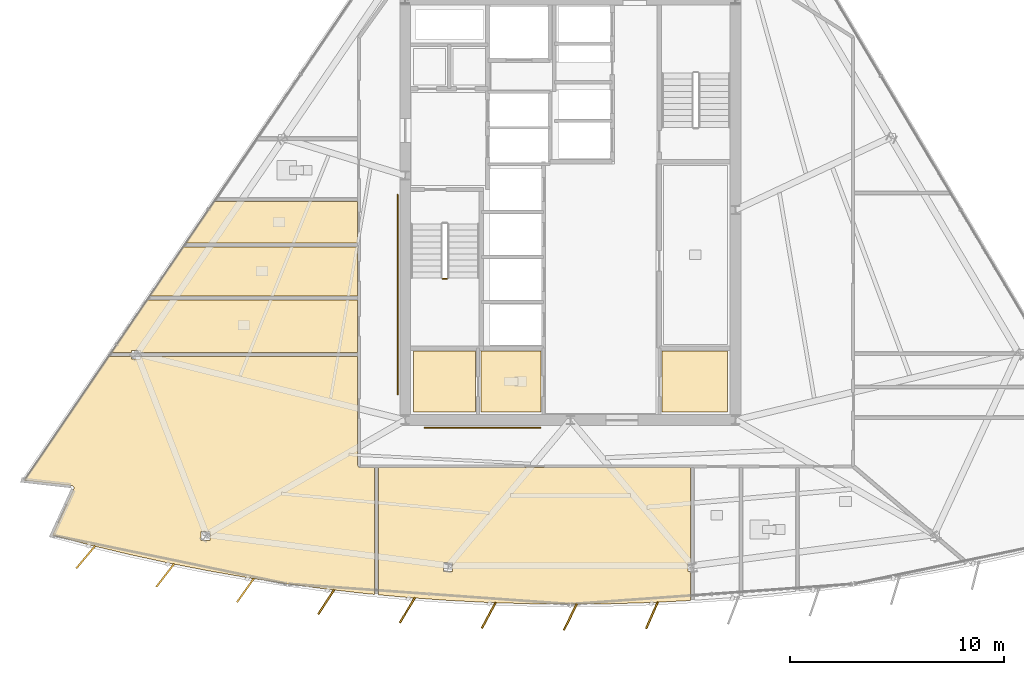
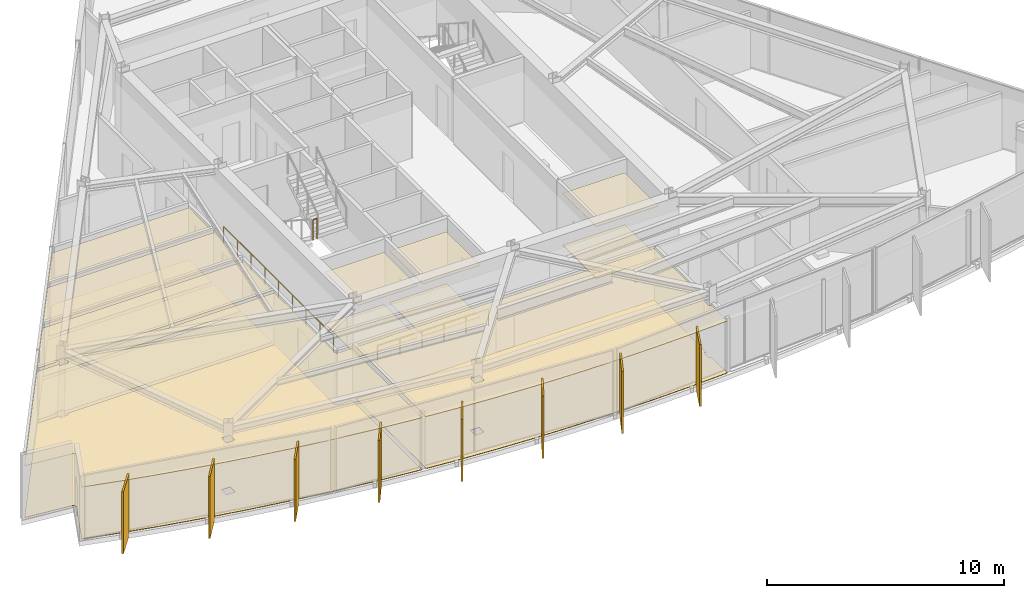
# One storey, part 11 of 15: 16 coverings, 8 shading devices, 3 railings.
"""IFC4 building model written with IfcOpenShell, lengths in metres."""

from ifc_helpers import new_model, si_unit, direction, frame, origin, origin_2d, place, context, subcontext, project, spatial, polyline, rectangle, circle, outline, extrude, material, layer, layer_set, type_object, element, save


model = new_model("IFC4")

# Units and contexts
model_context = context("Model", 3, precision=1e-05, world=origin(), true_north=direction((0.0, 1.0)))
body_context = subcontext(model_context, "Body", "Model", "MODEL_VIEW")
ifc_project = project(units=[si_unit("LENGTHUNIT", "METRE"), si_unit("AREAUNIT", "SQUARE_METRE"), si_unit("VOLUMEUNIT", "CUBIC_METRE"), si_unit("PLANEANGLEUNIT", "RADIAN"), si_unit("MASSUNIT", "GRAM", prefix="KILO")], contexts=[model_context])

# Site, building, storey
site_placement = place(None, origin())
site = spatial("IfcSite", under=ifc_project, at=site_placement, CompositionType="ELEMENT")
building_placement = place(site_placement, origin())
building = spatial("IfcBuilding", under=site, at=building_placement, Name="Savorim Split Tower", CompositionType="ELEMENT")
storey_placement = place(building_placement, frame((0.0, 0.0, 194.699951171875)))
storey = spatial("IfcBuildingStorey", under=building, at=storey_placement, Name="L51", CompositionType="ELEMENT", Elevation=194.699951171875)

# Coverings
ifc_material_1 = material(Name="Mineral Fibre Acoustic Ceiling")
ifc_layer_1 = layer(ifc_material_1, 0.02490234375)
ifc_layer_set_1 = layer_set([ifc_layer_1], Name="COV-CEIL-25")
covering_type_1 = type_object("IfcCoveringType", Name="COV-CEIL-25", PredefinedType="CEILING", material=ifc_layer_set_1)
covering_1_placement = place(storey_placement, frame((0.0, 0.0, 2.670166015625)))
element("IfcCovering", 1, at=covering_1_placement, inside=storey, type_object=covering_type_1, Name="L51 Housekeeping Store Acoustic Ceiling", PredefinedType="CEILING", context=body_context, shape_type="SweptSolid", body=[
    extrude(outline(polyline([(-7.320068359375, -6.179931640625), (-7.320068359375, -9.02001953125), (-4.429931640625, -9.02001953125), (-4.429931640625, -6.179931640625), (-7.320068359375, -6.179931640625)])), origin(), (0.0, 0.0, 1.0), 0.02490234375),
])
covering_2_placement = place(storey_placement, frame((0.0, 0.0, 2.670166015625)))
element("IfcCovering", 2, at=covering_2_placement, inside=storey, type_object=covering_type_1, Name="L51 Accessible WC Acoustic Ceiling", PredefinedType="CEILING", context=body_context, shape_type="SweptSolid", body=[
    extrude(outline(polyline([(-4.169921875, -6.179931640625), (-4.169921875, -9.02001953125), (-1.3798828125, -9.02001953125), (-1.3798828125, -6.179931640625), (-4.169921875, -6.179931640625)])), origin(), (0.0, 0.0, 1.0), 0.02490234375),
])
covering_3_placement = place(storey_placement, frame((0.0, 0.0, 2.670166015625)))
element("IfcCovering", 3, at=covering_3_placement, inside=storey, type_object=covering_type_1, Name="L51 Core IT Server Room Acoustic Ceiling", PredefinedType="CEILING", context=body_context, shape_type="SweptSolid", body=[
    extrude(outline(polyline([(4.280029296875, -6.179931640625), (4.280029296875, -9.02001953125), (7.320068359375, -9.02001953125), (7.320068359375, -6.179931640625), (4.280029296875, -6.179931640625)])), origin(), (0.0, 0.0, 1.0), 0.02490234375),
])
covering_4_placement = place(storey_placement, frame((0.0, 0.0, 2.670166015625)))
element("IfcCovering", 4, at=covering_4_placement, inside=storey, type_object=covering_type_1, Name="L51 Shared Kitchen Acoustic Ceiling", PredefinedType="CEILING", context=body_context, shape_type="SweptSolid", body=[
    extrude(outline(polyline([(-16.604248046875, 0.794921875), (-17.9169921875, -1.135009765625), (-9.919921875, -1.135009765625), (-9.919921875, 0.794921875), (-16.604248046875, 0.794921875)])), origin(), (0.0, 0.0, 1.0), 0.02490234375),
])
covering_5_placement = place(storey_placement, frame((0.0, 0.0, 2.670166015625)))
element("IfcCovering", 5, at=covering_5_placement, inside=storey, type_object=covering_type_1, Name="L51 Community Laundry Room Acoustic Ceiling", PredefinedType="CEILING", context=body_context, shape_type="SweptSolid", body=[
    extrude(outline(polyline([(-18.04638671875, -1.324951171875), (-19.599609375, -3.608154296875), (-9.919921875, -3.6083984375), (-9.919921875, -1.324951171875), (-18.04638671875, -1.324951171875)])), origin(), (0.0, 0.0, 1.0), 0.02490234375),
])
covering_6_placement = place(storey_placement, frame((0.0, 0.0, 2.670166015625)))
element("IfcCovering", 6, at=covering_6_placement, inside=storey, type_object=covering_type_1, Name="L51 Shared Kitchen Acoustic Ceiling", PredefinedType="CEILING", context=body_context, shape_type="SweptSolid", body=[
    extrude(outline(polyline([(-20.0400390625, -6.1484375), (-20.0400390625, -6.257080078125), (-9.919921875, -6.257080078125), (-9.919921875, -3.79833984375), (-19.728759765625, -3.798095703125), (-21.401611328125, -6.257080078125), (-20.4580078125, -6.257080078125), (-20.4580078125, -6.1484375), (-20.0400390625, -6.1484375)])), origin(), (0.0, 0.0, 1.0), 0.02490234375),
])
covering_7_placement = place(storey_placement, frame((0.0, 0.0, 2.670166015625)))
element("IfcCovering", 7, at=covering_7_placement, inside=storey, type_object=covering_type_1, Name="L51 Maker Workshop Acoustic Ceiling", PredefinedType="CEILING", context=body_context, shape_type="SweptSolid", body=[
    extrude(outline(polyline([(-23.142822265625, -12.572998046875), (-23.143798828125, -12.5849609375), (-23.14599609375, -12.5966796875), (-23.149169921875, -12.608154296875), (-23.15380859375, -12.619384765625), (-24.1416015625, -14.769775390625), (-22.450439453125, -15.2119140625), (-20.61279296875, -15.652587890625), (-18.7666015625, -16.055419921875), (-16.912353515625, -16.420654296875), (-15.051025390625, -16.74755859375), (-13.18359375, -17.03662109375), (-11.310302734375, -17.287109375), (-9.4326171875, -17.49951171875), (-9.132080078125, -17.527099609375), (-9.132080078125, -11.6201171875), (-9.780029296875, -11.6201171875), (-9.793701171875, -11.619384765625), (-9.807373046875, -11.6171875), (-9.820556640625, -11.614013671875), (-9.83349609375, -11.609375), (-9.845947265625, -11.603515625), (-9.85791015625, -11.596435546875), (-9.868896484375, -11.588134765625), (-9.87890625, -11.5791015625), (-9.88818359375, -11.56884765625), (-9.896484375, -11.557861328125), (-9.903564453125, -11.5458984375), (-9.9091796875, -11.53369140625), (-9.9140625, -11.5205078125), (-9.917236328125, -11.50732421875), (-9.919189453125, -11.49365234375), (-9.919921875, -11.47998046875), (-9.919921875, -6.447021484375), (-20.0400390625, -6.447021484375), (-20.0400390625, -6.555419921875), (-20.4580078125, -6.555419921875), (-20.4580078125, -6.447021484375), (-21.40576171875, -6.447021484375), (-21.500732421875, -6.447021484375), (-21.500732421875, -6.40283203125), (-25.447509765625, -12.20458984375), (-23.24951171875, -12.449951171875), (-23.237548828125, -12.451904296875), (-23.22607421875, -12.454833984375), (-23.21484375, -12.458984375), (-23.2041015625, -12.46435546875), (-23.194091796875, -12.470703125), (-23.184814453125, -12.47802734375), (-23.176025390625, -12.486328125), (-23.168212890625, -12.495361328125), (-23.161376953125, -12.5048828125), (-23.155517578125, -12.515380859375), (-23.150634765625, -12.5263671875), (-23.14697265625, -12.53759765625), (-23.144287109375, -12.54931640625), (-23.14306640625, -12.561279296875), (-23.142822265625, -12.572998046875)]), holes=[polyline([(-17.21435546875, -15.003662109375), (-16.79638671875, -15.003662109375), (-16.79638671875, -14.5966796875), (-17.21435546875, -14.5966796875), (-17.21435546875, -15.003662109375)])]), origin(), (0.0, 0.0, 1.0), 0.02490234375),
])
covering_8_placement = place(storey_placement, frame((0.0, 0.0, 2.670166015625)))
element("IfcCovering", 8, at=covering_8_placement, inside=storey, type_object=covering_type_1, Name="L51 Co-Working Commons Acoustic Ceiling", PredefinedType="CEILING", context=body_context, shape_type="SweptSolid", body=[
    extrude(outline(polyline([(5.490234375, -16.04833984375), (5.604248046875, -16.04833984375), (5.604248046875, -11.6201171875), (-8.942138671875, -11.6201171875), (-8.942138671875, -17.544677734375), (-7.55078125, -17.673095703125), (-5.665771484375, -17.808349609375), (-3.778564453125, -17.905029296875), (-1.8896484375, -17.962890625), (0.0, -17.982421875), (1.8896484375, -17.962890625), (3.778564453125, -17.905029296875), (5.604248046875, -17.8115234375), (5.604248046875, -16.455322265625), (5.490234375, -16.455322265625), (5.490234375, -16.04833984375)]), holes=[polyline([(-5.908203125, -16.455322265625), (-5.490234375, -16.455322265625), (-5.490234375, -16.04833984375), (-5.908203125, -16.04833984375), (-5.908203125, -16.455322265625)])]), origin(), (0.0, 0.0, 1.0), 0.02490234375),
])
ifc_material_2 = material(Name="Porcelain Stoneware Flooring", Category="masonry")
ifc_layer_2 = layer(ifc_material_2, 0.02001953125)
ifc_layer_set_2 = layer_set([ifc_layer_2], Name="COV-FLOR-20")
covering_type_2 = type_object("IfcCoveringType", Name="COV-FLOR-20", PredefinedType="FLOORING", material=ifc_layer_set_2)
covering_9_placement = place(storey_placement, origin())
element("IfcCovering", 9, at=covering_9_placement, inside=storey, type_object=covering_type_2, Name="L51 Housekeeping Store Porcelain Flooring", PredefinedType="FLOORING", context=body_context, shape_type="SweptSolid", body=[
    extrude(outline(polyline([(-7.320068359375, -6.179931640625), (-7.320068359375, -9.02001953125), (-4.429931640625, -9.02001953125), (-4.429931640625, -6.179931640625), (-7.320068359375, -6.179931640625)])), origin(), (0.0, 0.0, 1.0), 0.02001953125),
])
covering_10_placement = place(storey_placement, origin())
element("IfcCovering", 10, at=covering_10_placement, inside=storey, type_object=covering_type_2, Name="L51 Accessible WC Porcelain Flooring", PredefinedType="FLOORING", context=body_context, shape_type="SweptSolid", body=[
    extrude(outline(polyline([(-4.169921875, -6.179931640625), (-4.169921875, -9.02001953125), (-1.3798828125, -9.02001953125), (-1.3798828125, -6.179931640625), (-4.169921875, -6.179931640625)])), origin(), (0.0, 0.0, 1.0), 0.02001953125),
])
covering_11_placement = place(storey_placement, origin())
element("IfcCovering", 11, at=covering_11_placement, inside=storey, type_object=covering_type_2, Name="L51 Core IT Server Room Porcelain Flooring", PredefinedType="FLOORING", context=body_context, shape_type="SweptSolid", body=[
    extrude(outline(polyline([(4.280029296875, -6.179931640625), (4.280029296875, -9.02001953125), (7.320068359375, -9.02001953125), (7.320068359375, -6.179931640625), (4.280029296875, -6.179931640625)])), origin(), (0.0, 0.0, 1.0), 0.02001953125),
])
covering_12_placement = place(storey_placement, origin())
element("IfcCovering", 12, at=covering_12_placement, inside=storey, type_object=covering_type_2, Name="L51 Shared Kitchen Porcelain Flooring", PredefinedType="FLOORING", context=body_context, shape_type="SweptSolid", body=[
    extrude(outline(polyline([(-16.604248046875, 0.794921875), (-17.9169921875, -1.135009765625), (-9.919921875, -1.135009765625), (-9.919921875, 0.794921875), (-16.604248046875, 0.794921875)])), origin(), (0.0, 0.0, 1.0), 0.02001953125),
])
covering_13_placement = place(storey_placement, origin())
element("IfcCovering", 13, at=covering_13_placement, inside=storey, type_object=covering_type_2, Name="L51 Community Laundry Room Porcelain Flooring", PredefinedType="FLOORING", context=body_context, shape_type="SweptSolid", body=[
    extrude(outline(polyline([(-18.04638671875, -1.324951171875), (-19.599609375, -3.608154296875), (-9.919921875, -3.6083984375), (-9.919921875, -1.324951171875), (-18.04638671875, -1.324951171875)])), origin(), (0.0, 0.0, 1.0), 0.02001953125),
])
covering_14_placement = place(storey_placement, origin())
element("IfcCovering", 14, at=covering_14_placement, inside=storey, type_object=covering_type_2, Name="L51 Shared Kitchen Porcelain Flooring", PredefinedType="FLOORING", context=body_context, shape_type="SweptSolid", body=[
    extrude(outline(polyline([(-20.0400390625, -6.1484375), (-20.0400390625, -6.257080078125), (-9.919921875, -6.257080078125), (-9.919921875, -3.79833984375), (-19.728759765625, -3.798095703125), (-21.401611328125, -6.257080078125), (-20.4580078125, -6.257080078125), (-20.4580078125, -6.1484375), (-20.0400390625, -6.1484375)])), origin(), (0.0, 0.0, 1.0), 0.02001953125),
])
covering_15_placement = place(storey_placement, origin())
element("IfcCovering", 15, at=covering_15_placement, inside=storey, type_object=covering_type_2, Name="L51 Maker Workshop Porcelain Flooring", PredefinedType="FLOORING", context=body_context, shape_type="SweptSolid", body=[
    extrude(outline(polyline([(-23.142822265625, -12.572998046875), (-23.143798828125, -12.5849609375), (-23.14599609375, -12.5966796875), (-23.149169921875, -12.608154296875), (-23.15380859375, -12.619384765625), (-24.1416015625, -14.769775390625), (-22.450439453125, -15.2119140625), (-20.61279296875, -15.652587890625), (-18.7666015625, -16.055419921875), (-16.912353515625, -16.420654296875), (-15.051025390625, -16.74755859375), (-13.18359375, -17.03662109375), (-11.310302734375, -17.287109375), (-9.4326171875, -17.49951171875), (-9.132080078125, -17.527099609375), (-9.132080078125, -11.6201171875), (-9.780029296875, -11.6201171875), (-9.793701171875, -11.619384765625), (-9.807373046875, -11.6171875), (-9.820556640625, -11.614013671875), (-9.83349609375, -11.609375), (-9.845947265625, -11.603515625), (-9.85791015625, -11.596435546875), (-9.868896484375, -11.588134765625), (-9.87890625, -11.5791015625), (-9.88818359375, -11.56884765625), (-9.896484375, -11.557861328125), (-9.903564453125, -11.5458984375), (-9.9091796875, -11.53369140625), (-9.9140625, -11.5205078125), (-9.917236328125, -11.50732421875), (-9.919189453125, -11.49365234375), (-9.919921875, -11.47998046875), (-9.919921875, -6.447021484375), (-20.0400390625, -6.447021484375), (-20.0400390625, -6.555419921875), (-20.4580078125, -6.555419921875), (-20.4580078125, -6.447021484375), (-21.40576171875, -6.447021484375), (-21.500732421875, -6.447021484375), (-21.500732421875, -6.40283203125), (-25.447509765625, -12.20458984375), (-23.24951171875, -12.449951171875), (-23.237548828125, -12.451904296875), (-23.22607421875, -12.454833984375), (-23.21484375, -12.458984375), (-23.2041015625, -12.46435546875), (-23.194091796875, -12.470703125), (-23.184814453125, -12.47802734375), (-23.176025390625, -12.486328125), (-23.168212890625, -12.495361328125), (-23.161376953125, -12.5048828125), (-23.155517578125, -12.515380859375), (-23.150634765625, -12.5263671875), (-23.14697265625, -12.53759765625), (-23.144287109375, -12.54931640625), (-23.14306640625, -12.561279296875), (-23.142822265625, -12.572998046875)]), holes=[polyline([(-17.21435546875, -15.003662109375), (-16.79638671875, -15.003662109375), (-16.79638671875, -14.5966796875), (-17.21435546875, -14.5966796875), (-17.21435546875, -15.003662109375)])]), origin(), (0.0, 0.0, 1.0), 0.02001953125),
])
covering_16_placement = place(storey_placement, origin())
element("IfcCovering", 16, at=covering_16_placement, inside=storey, type_object=covering_type_2, Name="L51 Co-Working Commons Porcelain Flooring", PredefinedType="FLOORING", context=body_context, shape_type="SweptSolid", body=[
    extrude(outline(polyline([(5.490234375, -16.04833984375), (5.604248046875, -16.04833984375), (5.604248046875, -11.6201171875), (-8.942138671875, -11.6201171875), (-8.942138671875, -17.544677734375), (-7.55078125, -17.673095703125), (-5.665771484375, -17.808349609375), (-3.778564453125, -17.905029296875), (-1.8896484375, -17.962890625), (0.0, -17.982421875), (1.8896484375, -17.962890625), (3.778564453125, -17.905029296875), (5.604248046875, -17.8115234375), (5.604248046875, -16.455322265625), (5.490234375, -16.455322265625), (5.490234375, -16.04833984375)]), holes=[polyline([(-5.908203125, -16.455322265625), (-5.490234375, -16.455322265625), (-5.490234375, -16.04833984375), (-5.908203125, -16.04833984375), (-5.908203125, -16.455322265625)])]), origin(), (0.0, 0.0, 1.0), 0.02001953125),
])

# Railings
ifc_material_3 = material(Name="Galvanised Painted Steel Balustrade", Category="steel")
railing_type_1 = type_object("IfcRailingType", Name="RLG-HR-900", PredefinedType="HANDRAIL", material=ifc_material_3)
railing_1_placement = place(storey_placement, frame((-6.800048828125, -9.75, 0.0)))
element("IfcRailing", 17, at=railing_1_placement, inside=storey, type_object=railing_type_1, Name="L51 Corridor South Accessible Handrail", PredefinedType="HANDRAIL", context=body_context, shape_type="SweptSolid", body=[
    extrude(circle(Radius=0.02392578125, at=origin_2d()), frame((0.0, 0.0, 0.8759765625), z_axis=(1.0, 0.0, 0.0), x_axis=(0.0, 1.0, 0.0)), (0.0, 0.0, 1.0), 5.400146484375),
    extrude(circle(Radius=0.02099609375, at=origin_2d()), origin(), (0.0, 0.0, 1.0), 0.851806640625),
    extrude(circle(Radius=0.02099609375, at=origin_2d()), frame((1.080078125, 0.0, 0.0)), (0.0, 0.0, 1.0), 0.851806640625),
    extrude(circle(Radius=0.02099609375, at=origin_2d()), frame((2.16015625, 0.0, 0.0)), (0.0, 0.0, 1.0), 0.851806640625),
    extrude(circle(Radius=0.02099609375, at=origin_2d()), frame((3.239990234375, 0.0, 0.0)), (0.0, 0.0, 1.0), 0.851806640625),
    extrude(circle(Radius=0.02099609375, at=origin_2d()), frame((4.320068359375, 0.0, 0.0)), (0.0, 0.0, 1.0), 0.851806640625),
    extrude(circle(Radius=0.02099609375, at=origin_2d()), frame((5.400146484375, 0.0, 0.0)), (0.0, 0.0, 1.0), 0.851806640625),
])
railing_2_placement = place(storey_placement, frame((-8.050048828125, -8.199951171875, 0.0)))
element("IfcRailing", 18, at=railing_2_placement, inside=storey, type_object=railing_type_1, Name="L51 Corridor West Accessible Handrail", PredefinedType="HANDRAIL", context=body_context, shape_type="SweptSolid", body=[
    extrude(circle(Radius=0.02392578125, at=origin_2d()), frame((0.0, 0.0, 0.8759765625), z_axis=(0.0, 1.0, 0.0), x_axis=(-1.0, 0.0, 0.0)), (0.0, 0.0, 1.0), 9.300048828125),
    extrude(circle(Radius=0.02099609375, at=origin_2d()), origin(), (0.0, 0.0, 1.0), 0.851806640625),
    extrude(circle(Radius=0.02099609375, at=origin_2d()), frame((0.0, 1.16259765625, 0.0)), (0.0, 0.0, 1.0), 0.851806640625),
    extrude(circle(Radius=0.02099609375, at=origin_2d()), frame((0.0, 2.324951171875, 0.0)), (0.0, 0.0, 1.0), 0.851806640625),
    extrude(circle(Radius=0.02099609375, at=origin_2d()), frame((0.0, 3.487548828125, 0.0)), (0.0, 0.0, 1.0), 0.851806640625),
    extrude(circle(Radius=0.02099609375, at=origin_2d()), frame((0.0, 4.64990234375, 0.0)), (0.0, 0.0, 1.0), 0.851806640625),
    extrude(circle(Radius=0.02099609375, at=origin_2d()), frame((0.0, 5.8125, 0.0)), (0.0, 0.0, 1.0), 0.851806640625),
    extrude(circle(Radius=0.02099609375, at=origin_2d()), frame((0.0, 6.97509765625, 0.0)), (0.0, 0.0, 1.0), 0.851806640625),
    extrude(circle(Radius=0.02099609375, at=origin_2d()), frame((0.0, 8.137451171875, 0.0)), (0.0, 0.0, 1.0), 0.851806640625),
    extrude(circle(Radius=0.02099609375, at=origin_2d()), frame((0.0, 9.300048828125, 0.0)), (0.0, 0.0, 1.0), 0.851806640625),
])
railing_type_2 = type_object("IfcRailingType", Name="RLG-STG-1100", PredefinedType="BALUSTRADE", material=ifc_material_3)
railing_3_placement = place(storey_placement, frame((-5.949951171875, -2.820068359375, 1.800048828125)))
element("IfcRailing", 19, at=railing_3_placement, inside=storey, type_object=railing_type_2, Name="L51 ST-1 stair guard 2", PredefinedType="BALUSTRADE", context=body_context, shape_type="SweptSolid", body=[
    extrude(circle(Radius=0.02392578125, at=origin_2d()), frame((0.0, 0.0, 1.076171875), z_axis=(1.0, 0.0, 0.0), x_axis=(0.0, 1.0, 0.0)), (0.0, 0.0, 1.0), 0.199951171875),
    extrude(circle(Radius=0.02099609375, at=origin_2d()), origin(), (0.0, 0.0, 1.0), 1.052001953125),
    extrude(circle(Radius=0.02099609375, at=origin_2d()), frame((0.199951171875, 0.0, 0.0)), (0.0, 0.0, 1.0), 1.052001953125),
])

# Shading devices
ifc_material_4 = material(Name="Terracotta Ceramic-Coated Aluminium Fin", Category="masonry")
shading_device_type = type_object("IfcShadingDeviceType", Name="SHD-FIN-1360", PredefinedType="USERDEFINED", material=ifc_material_4)
for number, where, z_axis, x_axis, name in (
    (20, (-22.595458984375, -15.7900390625, -0.19970703125), (0.0, 0.0, 1.0), (-0.643719022682, -0.765261928909, 0.0), "L51 Sawtooth Shading Fin 01"),
    (21, (-18.8876953125, -16.63916015625, -0.19970703125), (0.0, 0.0, 1.0), (-0.611868076908, -0.790959832394, 0.0), "L51 Sawtooth Shading Fin 02"),
    (22, (-15.148193359375, -17.335693359375, -0.19970703125), (0.0, 0.0, 1.0), (-0.578993757737, -0.815331974414, 0.0), "L51 Sawtooth Shading Fin 03"),
    (23, (-11.38330078125, -17.878662109375, -0.19970703125), (0.0, 0.0, 1.0), (-0.545148321708, -0.838339613366, 0.0), "L51 Sawtooth Shading Fin 04"),
    (24, (-7.599609375, -18.26708984375, -0.19970703125), (0.0, 0.0, 1.0), (-0.510391336723, -0.859942255851, 0.0), "L51 Sawtooth Shading Fin 05"),
    (25, (-3.802978515625, -18.50048828125, -0.19970703125), (0.0, 0.0, 1.0), (-0.474778051978, -0.880105562623, 0.0), "L51 Sawtooth Shading Fin 06"),
    (26, (0.0, -18.578369140625, -0.19970703125), (0.0, 0.0, 1.0), (-0.438371146789, -0.898794046299, 0.0), "L51 Sawtooth Shading Fin 07"),
    (27, (3.802978515625, -18.50048828125, -0.19970703125), (0.0, 0.0, 1.0), (-0.401230091723, -0.915977299662, 0.0), "L51 Sawtooth Shading Fin 08"),
):
    element("IfcShadingDevice", number, at=place(storey_placement, frame(where, z_axis=z_axis, x_axis=x_axis)), inside=storey, type_object=shading_device_type, Name=name, ObjectType="FIN", PredefinedType="USERDEFINED", context=body_context, shape_type="SweptSolid", body=[
        extrude(rectangle(XDim=1.360107421875, YDim=0.080078125, at=origin_2d()), origin(), (0.0, 0.0, 1.0), 3.199951171875),
    ])

save(model, "model.ifc")
